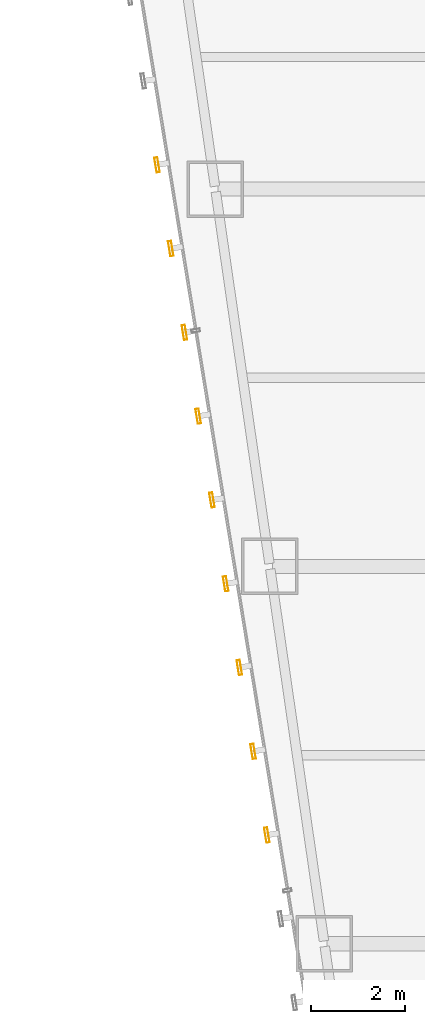
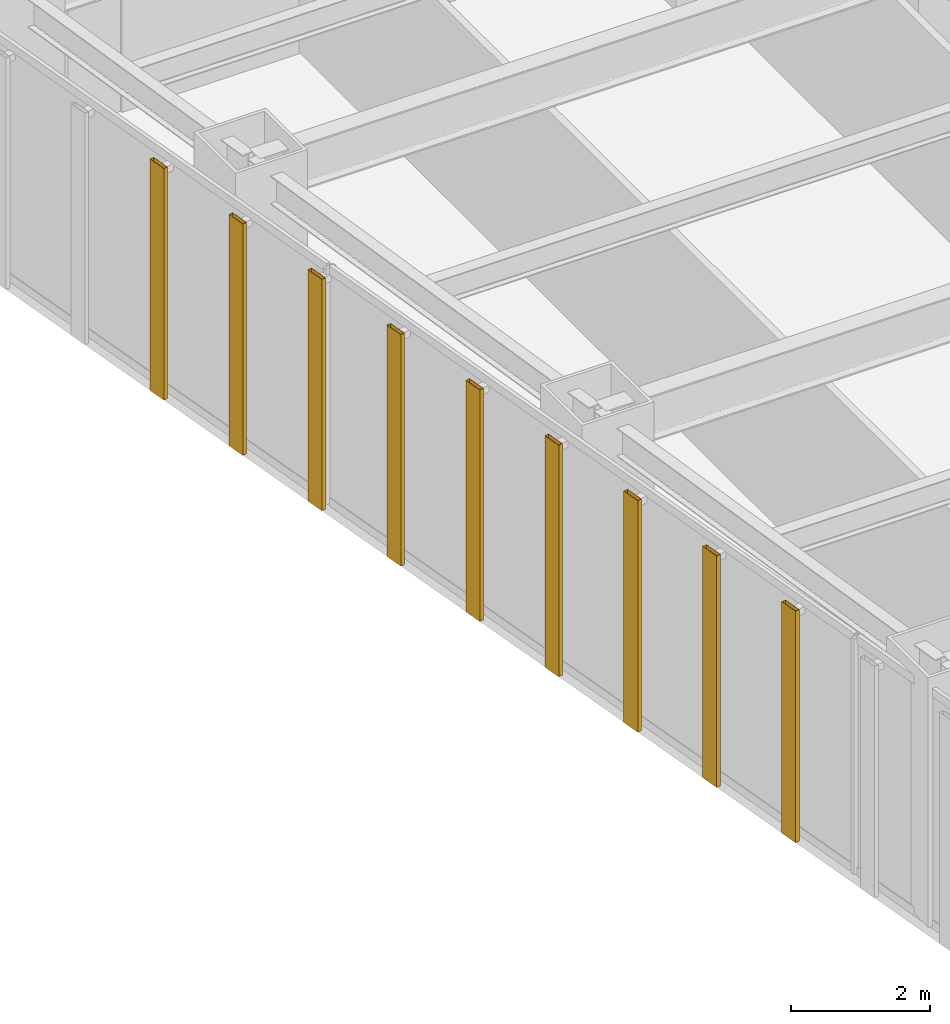
# One storey, part 43 of 49: 9 shading devices.
"""IFC4 building model written with IfcOpenShell, lengths in metres."""

from ifc_helpers import new_model, si_unit, direction, frame, origin, origin_2d, place, context, subcontext, project, spatial, hollow_rectangle, extrude, material, material_profile, profile_set, type_object, element, save


model = new_model("IFC4")

# Units and contexts
model_context = context("Model", 3, precision=1e-05, world=origin(), true_north=direction((0.0, 1.0)))
body_context = subcontext(model_context, "Body", "Model", "MODEL_VIEW")
ifc_project = project(units=[si_unit("LENGTHUNIT", "METRE"), si_unit("AREAUNIT", "SQUARE_METRE"), si_unit("VOLUMEUNIT", "CUBIC_METRE"), si_unit("PLANEANGLEUNIT", "RADIAN"), si_unit("MASSUNIT", "GRAM", prefix="KILO")], contexts=[model_context])

# Site, building, storey
site_placement = place(None, origin())
site = spatial("IfcSite", under=ifc_project, at=site_placement, CompositionType="ELEMENT")
building_placement = place(site_placement, origin())
building = spatial("IfcBuilding", under=site, at=building_placement, Name="Saevonmaru Cultural Tower", CompositionType="ELEMENT")
storey_placement = place(building_placement, frame((0.0, 0.0, 73.60009765625)))
storey = spatial("IfcBuildingStorey", under=building, at=storey_placement, Name="L15", CompositionType="ELEMENT", Elevation=73.60009765625)

# Shading devices
ifc_material = material(Name="Satin Bronze Anodised Aluminium", Category="aluminium")
ifc_material_profile = material_profile(ifc_material, hollow_rectangle(XDim=0.070068359375, YDim=0.320068359375, WallThickness=0.0048828125, at=origin_2d()), Name="FIN-320x70")
ifc_profile_set = profile_set([ifc_material_profile], Name="Satin Bronze Anodised Aluminium")
shading_device_type = type_object("IfcShadingDeviceType", Name="SHD-FIN-320", PredefinedType="JALOUSIE", material=ifc_profile_set)
for number, where, z_axis, x_axis, name in (
    (1, (7.0810546875, 32.513916015625, 0.0498046875), (0.0, 0.0, 1.0), (-0.986827496189, -0.161776057456, 0.0), "L15 Art Deco Sawtooth Bronze Fin E12-12"),
    (2, (7.3720703125, 30.737548828125, 0.0498046875), (0.0, 0.0, 1.0), (-0.986827496189, -0.161776057456, 0.0), "L15 Art Deco Sawtooth Bronze Fin E12-13"),
    (3, (7.6630859375, 28.961181640625, 0.0498046875), (0.0, 0.0, 1.0), (-0.986827496189, -0.161776057456, 0.0), "L15 Art Deco Sawtooth Bronze Fin E12-14"),
    (4, (7.9541015625, 27.184814453125, 0.0498046875), (0.0, 0.0, 1.0), (-0.986827496189, -0.161776057456, 0.0), "L15 Art Deco Sawtooth Bronze Fin E12-15"),
    (5, (8.245361328125, 25.40869140625, 0.0498046875), (0.0, 0.0, 1.0), (-0.986827496189, -0.161776057456, 0.0), "L15 Art Deco Sawtooth Bronze Fin E12-16"),
    (6, (8.536376953125, 23.63232421875, 0.0498046875), (0.0, 0.0, 1.0), (-0.986827496189, -0.161776057456, 0.0), "L15 Art Deco Sawtooth Bronze Fin E12-17"),
    (7, (8.827392578125, 21.85595703125, 0.0498046875), (0.0, 0.0, 1.0), (-0.986827496189, -0.161776057456, 0.0), "L15 Art Deco Sawtooth Bronze Fin E12-18"),
    (8, (9.118408203125, 20.07958984375, 0.0498046875), (0.0, 0.0, 1.0), (-0.986827496189, -0.161776057456, 0.0), "L15 Art Deco Sawtooth Bronze Fin E12-19"),
    (9, (9.40966796875, 18.30322265625, 0.0498046875), (0.0, 0.0, 1.0), (-0.986827496189, -0.161776057456, 0.0), "L15 Art Deco Sawtooth Bronze Fin E12-20"),
):
    element("IfcShadingDevice", number, at=place(storey_placement, frame(where, z_axis=z_axis, x_axis=x_axis)), inside=storey, type_object=shading_device_type, Name=name, PredefinedType="JALOUSIE", context=body_context, shape_type="SweptSolid", body=[
        extrude(hollow_rectangle(XDim=0.070068359375, YDim=0.320068359375, WallThickness=0.0048828125, at=origin_2d()), origin(), (0.0, 0.0, 1.0), 4.080078125),
    ])

save(model, "model.ifc")
